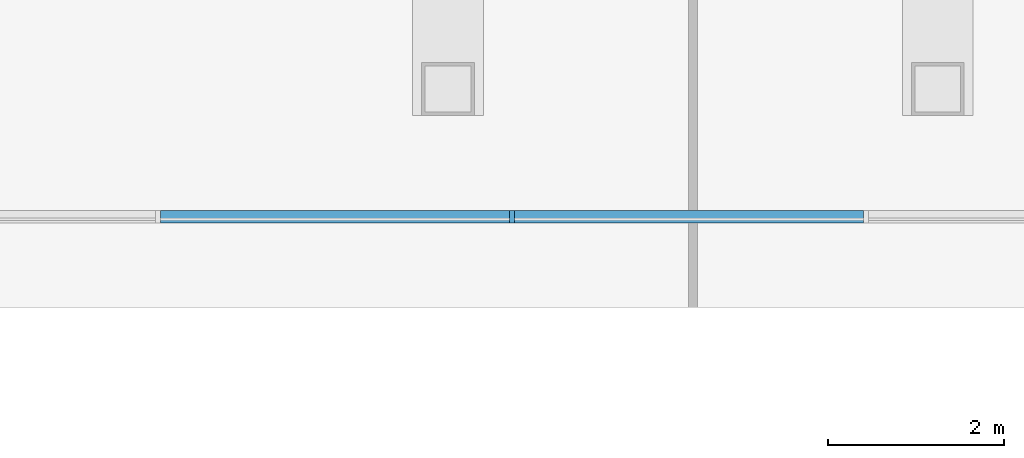
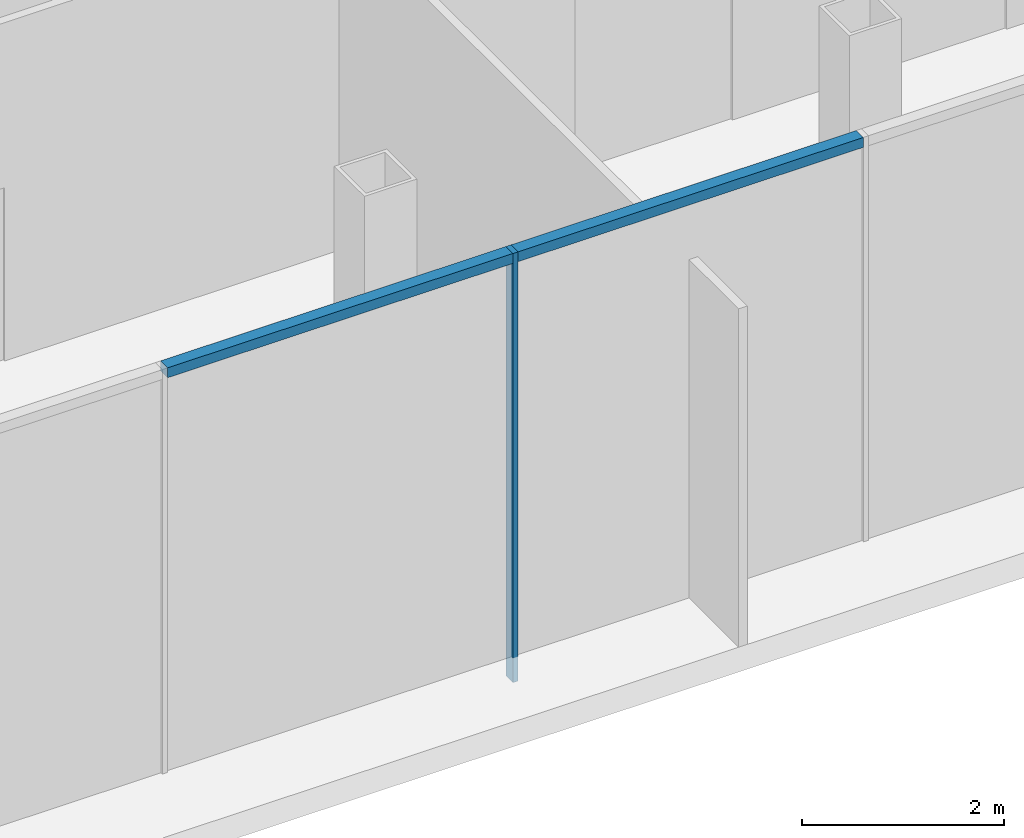
# One storey, part 6 of 28: 3 members, 1 element without a shape of its own.
"""IFC4 building model written with IfcOpenShell, lengths in metres."""

from ifc_helpers import new_model, si_unit, direction, frame, origin, origin_2d, place, context, subcontext, project, spatial, rectangle, extrude, material, material_profile, profile_set, type_object, element, aggregate, save


model = new_model("IFC4")

# Units and contexts
model_context = context("Model", 3, precision=1e-05, world=origin(), true_north=direction((0.0, 1.0)))
body_context = subcontext(model_context, "Body", "Model", "MODEL_VIEW")
ifc_project = project(units=[si_unit("LENGTHUNIT", "METRE"), si_unit("AREAUNIT", "SQUARE_METRE"), si_unit("VOLUMEUNIT", "CUBIC_METRE"), si_unit("PLANEANGLEUNIT", "RADIAN"), si_unit("MASSUNIT", "GRAM", prefix="KILO")], contexts=[model_context])

# Site, building, storey
site_placement = place(None, origin())
site = spatial("IfcSite", under=ifc_project, at=site_placement, CompositionType="ELEMENT")
building_placement = place(site_placement, origin())
building = spatial("IfcBuilding", under=site, at=building_placement, Name="Ogive Gate Towers", CompositionType="ELEMENT")
storey_placement = place(building_placement, frame((0.0, 0.0, 135.60009765625)))
storey = spatial("IfcBuildingStorey", under=building, at=storey_placement, Name="L32", CompositionType="ELEMENT", Elevation=135.60009765625)

# Curtain wall, members
ifc_material = material(Name="Pale metal aluminium", Category="aluminium")
curtain_wall_type = type_object("IfcCurtainWallType", Name="Gate block facade", PredefinedType="NOTDEFINED", material=ifc_material)
curtain_wall_placement = place(storey_placement, origin())
curtain_wall = element("IfcCurtainWall", 1, at=curtain_wall_placement, inside=storey, type_object=curtain_wall_type, Name="CW3 BR ECW01", PredefinedType="NOTDEFINED")
ifc_material_profile_1 = material_profile(ifc_material, rectangle(XDim=0.139892578125, YDim=0.06005859375, at=origin_2d()), Name="60 x 140 aluminium box")
ifc_profile_set_1 = profile_set([ifc_material_profile_1], Name="Pale metal aluminium")
member_type_1 = type_object("IfcMemberType", Name="Gate block facade mullion 60 x 140", PredefinedType="MULLION", material=ifc_profile_set_1)
member_1_placement = place(storey_placement, frame((2.008544921875, -7.95166015625, -0.300048828125), z_axis=(0.0, 0.0, 1.0), x_axis=(0.0, -1.0, 0.0)))
member_1 = element("IfcMember", 2, at=member_1_placement, type_object=member_type_1, Name="CW3 mullion", PredefinedType="MULLION", context=body_context, shape_type="SweptSolid", body=[
    extrude(rectangle(XDim=0.139892578125, YDim=0.06005859375, at=origin_2d()), origin(), (0.0, 0.0, 1.0), 5.199951171875),
])
ifc_material_profile_2 = material_profile(ifc_material, rectangle(XDim=0.139892578125, YDim=0.1201171875, at=origin_2d()), Name="120 x 140 aluminium box")
ifc_profile_set_2 = profile_set([ifc_material_profile_2], Name="Pale metal aluminium")
member_type_2 = type_object("IfcMemberType", Name="Gate block facade transom 120 x 140", PredefinedType="USERDEFINED", material=ifc_profile_set_2)
member_2_placement = place(storey_placement, frame((-1.978515625, -7.95166015625, 4.83984375), z_axis=(1.0, 0.0, 0.0), x_axis=(0.0, 1.0, 0.0)))
member_2 = element("IfcMember", 3, at=member_2_placement, type_object=member_type_2, Name="CW3 transom", ObjectType="TRANSOM", PredefinedType="USERDEFINED", context=body_context, shape_type="SweptSolid", body=[
    extrude(rectangle(XDim=0.139892578125, YDim=0.1201171875, at=origin_2d()), origin(), (0.0, 0.0, 1.0), 3.95703125),
])
member_3_placement = place(storey_placement, frame((2.03857421875, -7.95166015625, 4.83984375), z_axis=(1.0, 0.0, 0.0), x_axis=(0.0, 1.0, 0.0)))
member_3 = element("IfcMember", 4, at=member_3_placement, type_object=member_type_2, Name="CW3 transom", ObjectType="TRANSOM", PredefinedType="USERDEFINED", context=body_context, shape_type="SweptSolid", body=[
    extrude(rectangle(XDim=0.139892578125, YDim=0.1201171875, at=origin_2d()), origin(), (0.0, 0.0, 1.0), 3.95703125),
])
aggregate(curtain_wall, [member_1, member_2, member_3])

save(model, "model.ifc")
